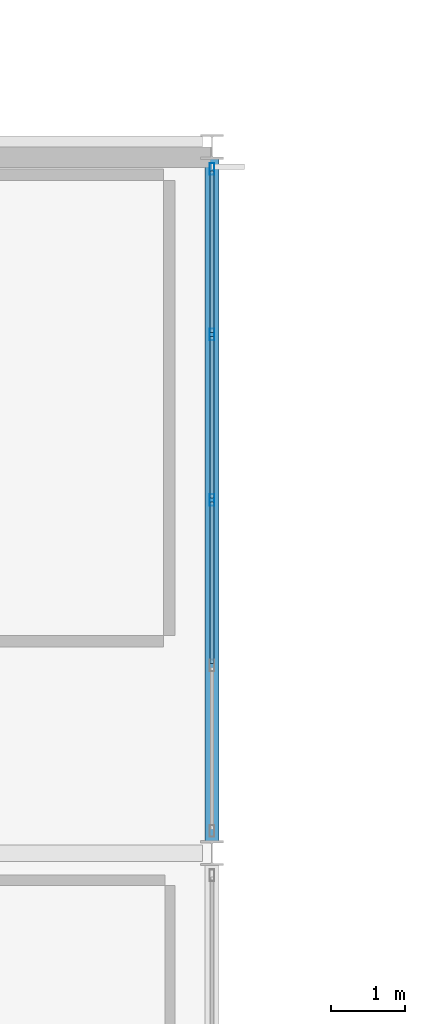
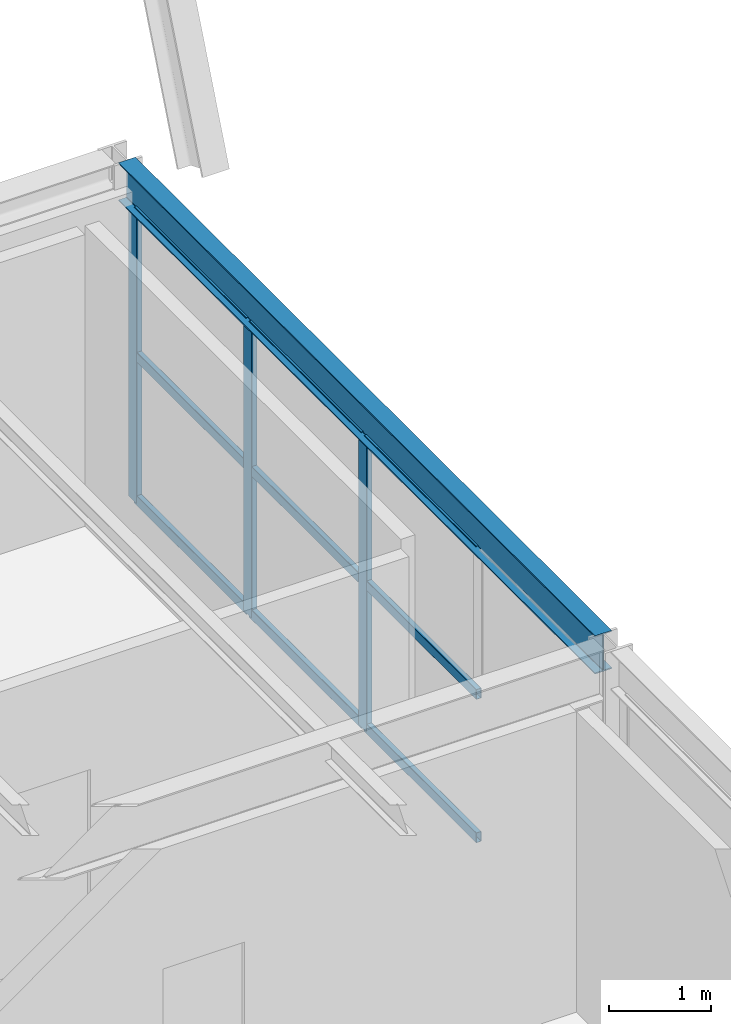
# One storey, part 54 of 126: 12 members, 1 beam, 1 element without a shape of its own.
"""IFC4 building model written with IfcOpenShell, lengths in metres."""

from ifc_helpers import new_model, si_unit, direction, frame, origin, origin_2d, place, context, subcontext, project, spatial, hollow_rectangle, i_section, extrude, material, material_profile, profile_set, type_object, element, aggregate, save


model = new_model("IFC4")

# Units and contexts
model_context = context("Model", 3, precision=1e-05, world=origin(), true_north=direction((0.0, 1.0)))
body_context = subcontext(model_context, "Body", "Model", "MODEL_VIEW")
ifc_project = project(units=[si_unit("LENGTHUNIT", "METRE"), si_unit("AREAUNIT", "SQUARE_METRE"), si_unit("VOLUMEUNIT", "CUBIC_METRE"), si_unit("PLANEANGLEUNIT", "RADIAN"), si_unit("MASSUNIT", "GRAM", prefix="KILO")], contexts=[model_context])

# Site, building, storey
site_placement = place(None, origin())
site = spatial("IfcSite", under=ifc_project, at=site_placement, CompositionType="ELEMENT")
building_placement = place(site_placement, origin())
building = spatial("IfcBuilding", under=site, at=building_placement, Name="Coralgate Yard Interchange", CompositionType="ELEMENT")
storey_placement = place(building_placement, frame((0.0, 0.0, 10.5)))
storey = spatial("IfcBuildingStorey", under=building, at=storey_placement, Name="L02", CompositionType="ELEMENT", Elevation=10.5)

# Beam
ifc_material_1 = material(Name="Structural steel S355J2", Category="steel")
ifc_material_profile_1 = material_profile(ifc_material_1, i_section(OverallWidth=0.1904296875, OverallDepth=0.45703125, WebThickness=0.009033203125, FlangeThickness=0.014404296875, FilletRadius=0.01025390625, at=origin_2d()), Name="UB 457x191x74")
ifc_profile_set_1 = profile_set([ifc_material_profile_1], Name="Structural steel S355J2")
beam_type = type_object("IfcBeamType", Name="BM-SB-2", PredefinedType="BEAM", material=ifc_profile_set_1)
beam_placement = place(storey_placement, frame((96.0, 9.739990234375, 3.721435546875), z_axis=(0.0, 1.0, 0.0), x_axis=(-1.0, 0.0, 0.0)))
element("IfcBeam", 1, at=beam_placement, inside=storey, type_object=beam_type, Name="L02 primary grid girder X10 Y1-2", PredefinedType="BEAM", context=body_context, shape_type="SweptSolid", body=[
    extrude(i_section(OverallWidth=0.1904296875, OverallDepth=0.45703125, WebThickness=0.009033203125, FlangeThickness=0.014404296875, FilletRadius=0.01025390625, at=origin_2d()), origin(), (0.0, 0.0, 1.0), 9.320068359375),
])

# Curtain wall, members
ifc_material_2 = material(Name="Anodised coastal aluminium and solar-control low-E glass", Category="aluminium")
curtain_wall_type = type_object("IfcCurtainWallType", Name="CW-CW-L02-A", PredefinedType="NOTDEFINED", material=ifc_material_2)
curtain_wall_placement = place(storey_placement, origin())
curtain_wall = element("IfcCurtainWall", 2, at=curtain_wall_placement, inside=storey, type_object=curtain_wall_type, Name="L02 unitised curtain wall CW-L02-E-09-01", PredefinedType="NOTDEFINED")
ifc_material_3 = material(Name="Anodised coastal aluminium 6063-T6", Category="aluminium")
ifc_material_profile_2 = material_profile(ifc_material_3, hollow_rectangle(XDim=0.06494140625, YDim=0.159912109375, WallThickness=0.00390625, InnerFilletRadius=0.00390625, OuterFilletRadius=0.008056640625, at=origin_2d()), Name="ALU 65x160x4")
ifc_profile_set_2 = profile_set([ifc_material_profile_2], Name="Anodised coastal aluminium 6063-T6")
member_type_1 = type_object("IfcMemberType", Name="MB-MUL-160", PredefinedType="MULLION", material=ifc_profile_set_2)
member_1_placement = place(storey_placement, frame((96.0, 18.89990234375, 0.0), z_axis=(0.0, 0.0, 1.0), x_axis=(1.0, 0.0, 0.0)))
member_1 = element("IfcMember", 3, at=member_1_placement, type_object=member_type_1, Name="CW-L02-E-09-01 vertical mullion 1", PredefinedType="MULLION", context=body_context, shape_type="SweptSolid", body=[
    extrude(hollow_rectangle(XDim=0.06494140625, YDim=0.159912109375, WallThickness=0.00390625, InnerFilletRadius=0.00390625, OuterFilletRadius=0.008056640625, at=origin_2d()), origin(), (0.0, 0.0, 1.0), 3.492919921875),
])
member_2_placement = place(storey_placement, frame((96.0, 16.64990234375, 0.0), z_axis=(0.0, 0.0, 1.0), x_axis=(1.0, 0.0, 0.0)))
member_2 = element("IfcMember", 4, at=member_2_placement, type_object=member_type_1, Name="CW-L02-E-09-01 vertical mullion 2", PredefinedType="MULLION", context=body_context, shape_type="SweptSolid", body=[
    extrude(hollow_rectangle(XDim=0.06494140625, YDim=0.159912109375, WallThickness=0.00390625, InnerFilletRadius=0.00390625, OuterFilletRadius=0.008056640625, at=origin_2d()), origin(), (0.0, 0.0, 1.0), 3.492919921875),
])
member_3_placement = place(storey_placement, frame((96.0, 14.39990234375, 0.0), z_axis=(0.0, 0.0, 1.0), x_axis=(1.0, 0.0, 0.0)))
member_3 = element("IfcMember", 5, at=member_3_placement, type_object=member_type_1, Name="CW-L02-E-09-01 vertical mullion 3", PredefinedType="MULLION", context=body_context, shape_type="SweptSolid", body=[
    extrude(hollow_rectangle(XDim=0.06494140625, YDim=0.159912109375, WallThickness=0.00390625, InnerFilletRadius=0.00390625, OuterFilletRadius=0.008056640625, at=origin_2d()), origin(), (0.0, 0.0, 1.0), 3.492919921875),
])
ifc_material_profile_3 = material_profile(ifc_material_3, hollow_rectangle(XDim=0.06005859375, YDim=0.1201171875, WallThickness=0.00341796875, InnerFilletRadius=0.00341796875, OuterFilletRadius=0.007080078125, at=origin_2d()), Name="ALU 60x120x3.5")
ifc_profile_set_3 = profile_set([ifc_material_profile_3], Name="Anodised coastal aluminium 6063-T6")
member_type_2 = type_object("IfcMemberType", Name="MB-TRN-120", PredefinedType="USERDEFINED", material=ifc_profile_set_3)
member_4_placement = place(storey_placement, frame((96.0, 18.8701171875, 0.034912109375), z_axis=(0.0, -1.0, 0.0), x_axis=(1.0, 0.0, 0.0)))
member_4 = element("IfcMember", 6, at=member_4_placement, type_object=member_type_2, Name="CW-L02-E-09-01 horizontal transom 1-1", ObjectType="TRANSOM", PredefinedType="USERDEFINED", context=body_context, shape_type="SweptSolid", body=[
    extrude(hollow_rectangle(XDim=0.06005859375, YDim=0.1201171875, WallThickness=0.00341796875, InnerFilletRadius=0.00341796875, OuterFilletRadius=0.007080078125, at=origin_2d()), origin(), (0.0, 0.0, 1.0), 2.190185546875),
])
member_5_placement = place(storey_placement, frame((96.0, 18.8701171875, 1.74658203125), z_axis=(0.0, -1.0, 0.0), x_axis=(1.0, 0.0, 0.0)))
member_5 = element("IfcMember", 7, at=member_5_placement, type_object=member_type_2, Name="CW-L02-E-09-01 horizontal transom 1-2", ObjectType="TRANSOM", PredefinedType="USERDEFINED", context=body_context, shape_type="SweptSolid", body=[
    extrude(hollow_rectangle(XDim=0.06005859375, YDim=0.1201171875, WallThickness=0.00341796875, InnerFilletRadius=0.00341796875, OuterFilletRadius=0.007080078125, at=origin_2d()), origin(), (0.0, 0.0, 1.0), 2.190185546875),
])
member_6_placement = place(storey_placement, frame((96.0, 18.8701171875, 3.4580078125), z_axis=(0.0, -1.0, 0.0), x_axis=(1.0, 0.0, 0.0)))
member_6 = element("IfcMember", 8, at=member_6_placement, type_object=member_type_2, Name="CW-L02-E-09-01 horizontal transom 1-3", ObjectType="TRANSOM", PredefinedType="USERDEFINED", context=body_context, shape_type="SweptSolid", body=[
    extrude(hollow_rectangle(XDim=0.06005859375, YDim=0.1201171875, WallThickness=0.00341796875, InnerFilletRadius=0.00341796875, OuterFilletRadius=0.007080078125, at=origin_2d()), origin(), (0.0, 0.0, 1.0), 2.190185546875),
])
member_7_placement = place(storey_placement, frame((96.0, 16.6201171875, 0.034912109375), z_axis=(0.0, -1.0, 0.0), x_axis=(1.0, 0.0, 0.0)))
member_7 = element("IfcMember", 9, at=member_7_placement, type_object=member_type_2, Name="CW-L02-E-09-01 horizontal transom 2-1", ObjectType="TRANSOM", PredefinedType="USERDEFINED", context=body_context, shape_type="SweptSolid", body=[
    extrude(hollow_rectangle(XDim=0.06005859375, YDim=0.1201171875, WallThickness=0.00341796875, InnerFilletRadius=0.00341796875, OuterFilletRadius=0.007080078125, at=origin_2d()), origin(), (0.0, 0.0, 1.0), 2.190185546875),
])
member_8_placement = place(storey_placement, frame((96.0, 16.6201171875, 1.74658203125), z_axis=(0.0, -1.0, 0.0), x_axis=(1.0, 0.0, 0.0)))
member_8 = element("IfcMember", 10, at=member_8_placement, type_object=member_type_2, Name="CW-L02-E-09-01 horizontal transom 2-2", ObjectType="TRANSOM", PredefinedType="USERDEFINED", context=body_context, shape_type="SweptSolid", body=[
    extrude(hollow_rectangle(XDim=0.06005859375, YDim=0.1201171875, WallThickness=0.00341796875, InnerFilletRadius=0.00341796875, OuterFilletRadius=0.007080078125, at=origin_2d()), origin(), (0.0, 0.0, 1.0), 2.190185546875),
])
member_9_placement = place(storey_placement, frame((96.0, 16.6201171875, 3.4580078125), z_axis=(0.0, -1.0, 0.0), x_axis=(1.0, 0.0, 0.0)))
member_9 = element("IfcMember", 11, at=member_9_placement, type_object=member_type_2, Name="CW-L02-E-09-01 horizontal transom 2-3", ObjectType="TRANSOM", PredefinedType="USERDEFINED", context=body_context, shape_type="SweptSolid", body=[
    extrude(hollow_rectangle(XDim=0.06005859375, YDim=0.1201171875, WallThickness=0.00341796875, InnerFilletRadius=0.00341796875, OuterFilletRadius=0.007080078125, at=origin_2d()), origin(), (0.0, 0.0, 1.0), 2.190185546875),
])
member_10_placement = place(storey_placement, frame((96.0, 14.3701171875, 0.034912109375), z_axis=(0.0, -1.0, 0.0), x_axis=(1.0, 0.0, 0.0)))
member_10 = element("IfcMember", 12, at=member_10_placement, type_object=member_type_2, Name="CW-L02-E-09-01 horizontal transom 3-1", ObjectType="TRANSOM", PredefinedType="USERDEFINED", context=body_context, shape_type="SweptSolid", body=[
    extrude(hollow_rectangle(XDim=0.06005859375, YDim=0.1201171875, WallThickness=0.00341796875, InnerFilletRadius=0.00341796875, OuterFilletRadius=0.007080078125, at=origin_2d()), origin(), (0.0, 0.0, 1.0), 2.190185546875),
])
member_11_placement = place(storey_placement, frame((96.0, 14.3701171875, 1.74658203125), z_axis=(0.0, -1.0, 0.0), x_axis=(1.0, 0.0, 0.0)))
member_11 = element("IfcMember", 13, at=member_11_placement, type_object=member_type_2, Name="CW-L02-E-09-01 horizontal transom 3-2", ObjectType="TRANSOM", PredefinedType="USERDEFINED", context=body_context, shape_type="SweptSolid", body=[
    extrude(hollow_rectangle(XDim=0.06005859375, YDim=0.1201171875, WallThickness=0.00341796875, InnerFilletRadius=0.00341796875, OuterFilletRadius=0.007080078125, at=origin_2d()), origin(), (0.0, 0.0, 1.0), 2.190185546875),
])
member_12_placement = place(storey_placement, frame((96.0, 14.3701171875, 3.4580078125), z_axis=(0.0, -1.0, 0.0), x_axis=(1.0, 0.0, 0.0)))
member_12 = element("IfcMember", 14, at=member_12_placement, type_object=member_type_2, Name="CW-L02-E-09-01 horizontal transom 3-3", ObjectType="TRANSOM", PredefinedType="USERDEFINED", context=body_context, shape_type="SweptSolid", body=[
    extrude(hollow_rectangle(XDim=0.06005859375, YDim=0.1201171875, WallThickness=0.00341796875, InnerFilletRadius=0.00341796875, OuterFilletRadius=0.007080078125, at=origin_2d()), origin(), (0.0, 0.0, 1.0), 2.190185546875),
])
aggregate(curtain_wall, [member_1, member_2, member_3, member_4, member_5, member_6, member_7, member_8, member_9, member_10, member_11, member_12])

save(model, "model.ifc")
